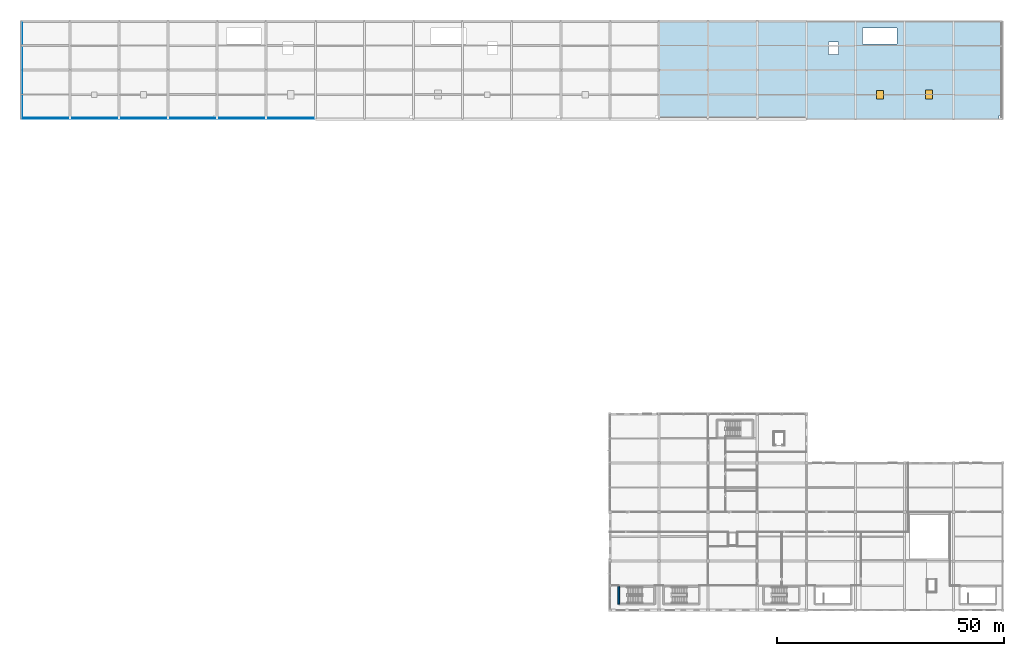
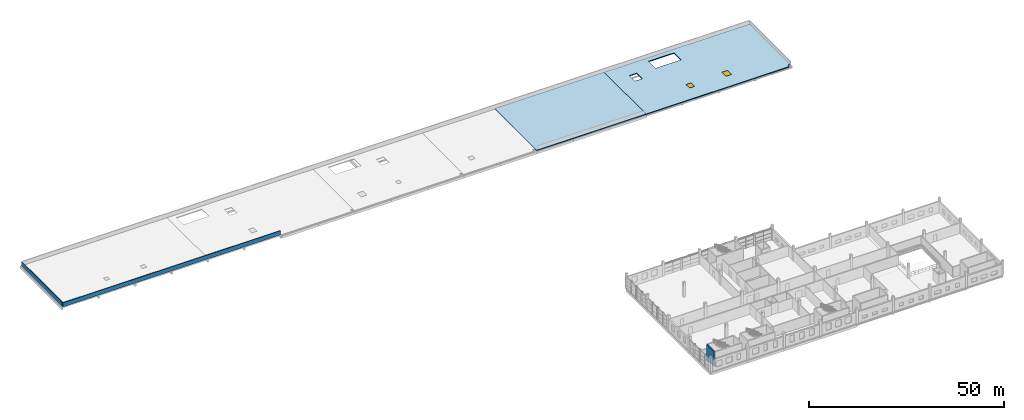
# One storey, part 13 of 24: 3 walls, 2 slabs, 2 windows, 2 openings.
"""IFC4 building model written with IfcOpenShell, lengths in metres."""

from ifc_helpers import new_model, si_unit, direction, frame, frame_2d, origin, origin_2d, place, context, subcontext, project, spatial, polyline, rectangle, outline, extrude, material, layer, layer_set, type_object, element, fill, save


model = new_model("IFC4")

# Units and contexts
model_context = context("Model", 3, precision=1e-05, world=origin(), true_north=direction((0.0, 1.0)))
body_context = subcontext(model_context, "Body", "Model", "MODEL_VIEW")
ifc_project = project(units=[si_unit("LENGTHUNIT", "METRE"), si_unit("AREAUNIT", "SQUARE_METRE"), si_unit("VOLUMEUNIT", "CUBIC_METRE"), si_unit("PLANEANGLEUNIT", "RADIAN"), si_unit("MASSUNIT", "GRAM", prefix="KILO")], contexts=[model_context])

# Site, building, storey
site_placement = place(None, origin())
site = spatial("IfcSite", under=ifc_project, at=site_placement, CompositionType="ELEMENT")
building_placement = place(site_placement, origin())
building = spatial("IfcBuilding", under=site, at=building_placement, Name="Zwinboog Wholesale Market", CompositionType="ELEMENT")
storey_placement = place(building_placement, frame((0.0, 0.0, 10.080078125)))
storey = spatial("IfcBuildingStorey", under=building, at=storey_placement, Name="L02", CompositionType="ELEMENT", Elevation=10.080078125)

# Slab
ifc_material_1 = material(Name="Concrete C40/50", Category="concrete")
ifc_layer_1 = layer(ifc_material_1, 0.261962890625)
ifc_layer_set_1 = layer_set([ifc_layer_1], Name="Concrete C40/50")
slab_type_1 = type_object("IfcSlabType", Name="SLT-EX-262", PredefinedType="FLOOR", material=ifc_layer_set_1)
slab_1_placement = place(storey_placement, frame((0.0, 0.0, -0.261962890625)))
element("IfcSlab", 1, at=slab_1_placement, inside=storey, type_object=slab_type_1, Name="Cold-Chain Stormwater Roof Garden", PredefinedType="FLOOR", context=body_context, shape_type="SweptSolid", body=[
    extrude(outline(polyline([(140.39990234375, 108.0), (172.800048828125, 108.0), (172.800048828125, 129.60009765625), (140.39990234375, 129.60009765625), (140.39990234375, 108.0)])), origin(), (0.0, 0.0, 1.0), 0.261962890625),
])

# Slab, openings, windows
ifc_material_2 = material(Name="Precast concrete C45/55", Category="concrete")
ifc_layer_2 = layer(ifc_material_2, 0.27392578125)
ifc_layer_set_2 = layer_set([ifc_layer_2], Name="Precast concrete C45/55")
slab_type_2 = type_object("IfcSlabType", Name="SLT-GR-274", PredefinedType="ROOF", material=ifc_layer_set_2)
slab_2_placement = place(storey_placement, frame((0.0, 0.0, -0.274169921875)))
slab_2 = element("IfcSlab", 2, at=slab_2_placement, inside=storey, type_object=slab_type_2, Name="SG-274 (SLB-L02-GRF-05)", PredefinedType="ROOF", context=body_context, shape_type="SweptSolid", body=[
    extrude(outline(polyline([(172.800048828125, 108.0), (215.199951171875, 108.0), (215.199951171875, 108.800048828125), (216.0, 108.800048828125), (216.0, 129.60009765625), (172.800048828125, 129.60009765625), (172.800048828125, 108.0)]), holes=[polyline([(185.10009765625, 124.5), (192.699951171875, 124.5), (192.699951171875, 128.10009765625), (185.10009765625, 128.10009765625), (185.10009765625, 124.5)]), polyline([(177.699951171875, 122.199951171875), (179.89990234375, 122.199951171875), (179.89990234375, 125.0), (177.699951171875, 125.0), (177.699951171875, 122.199951171875)])]), origin(), (0.0, 0.0, 1.0), 0.274169921875),
])
opening_1_placement = place(slab_2_placement, frame((189.0, 113.39990234375, 0.0)))
opening_1 = element("IfcOpeningElement", 3, at=opening_1_placement, cuts=slab_2, Name="Opening RH-07", PredefinedType="OPENING", context=body_context, shape_type="SweptSolid", body=[
    extrude(rectangle(XDim=1.5, YDim=1.800048828125, at=origin_2d()), frame((0.0, 0.0, -0.010009765625)), (0.0, 0.0, 1.0), 0.294189453125),
])
opening_2_placement = place(slab_2_placement, frame((199.800048828125, 113.39990234375, 0.0)))
opening_2 = element("IfcOpeningElement", 4, at=opening_2_placement, cuts=slab_2, Name="Opening RH-08", PredefinedType="OPENING", context=body_context, shape_type="SweptSolid", body=[
    extrude(rectangle(XDim=1.60009765625, YDim=2.0, at=origin_2d()), frame((0.0, 0.0, -0.010009765625)), (0.0, 0.0, 1.0), 0.294189453125),
])
ifc_material_3 = material(Name="Aerodynamic insulated aluminium smoke-vent hatch", Category="aluminium")
window_type_1 = type_object("IfcWindowType", Name="SKT-03", PartitioningType="SINGLE_PANEL", PredefinedType="SKYLIGHT", material=ifc_material_3)
window_1_placement = place(opening_1_placement, frame((0.0, 0.0, 0.22412109375)))
window_1 = element("IfcWindow", 5, at=window_1_placement, inside=storey, type_object=window_type_1, Name="Roof Smoke-Vent Hatch RH-07", OverallHeight=1.800048828125, OverallWidth=1.5, PartitioningType="SINGLE_PANEL", PredefinedType="SKYLIGHT", context=body_context, shape_type="SweptSolid", body=[
    extrude(rectangle(XDim=1.5, YDim=1.800048828125, at=origin_2d()), origin(), (0.0, 0.0, 1.0), 0.050048828125),
])
fill(opening_1, window_1)
window_type_2 = type_object("IfcWindowType", Name="SKT-04", PartitioningType="SINGLE_PANEL", PredefinedType="SKYLIGHT", material=ifc_material_3)
window_2_placement = place(opening_2_placement, frame((0.0, 0.0, 0.22412109375)))
window_2 = element("IfcWindow", 6, at=window_2_placement, inside=storey, type_object=window_type_2, Name="Roof Smoke-Vent Hatch RH-08", OverallHeight=2.0, OverallWidth=1.60009765625, PartitioningType="SINGLE_PANEL", PredefinedType="SKYLIGHT", context=body_context, shape_type="SweptSolid", body=[
    extrude(rectangle(XDim=1.60009765625, YDim=2.0, at=origin_2d()), origin(), (0.0, 0.0, 1.0), 0.050048828125),
])
fill(opening_2, window_2)

# Walls
ifc_layer_3 = layer(ifc_material_2, 0.18798828125)
ifc_layer_set_3 = layer_set([ifc_layer_3], Name="Precast concrete C45/55")
wall_type_1 = type_object("IfcWallType", Name="WT-PR-188", PredefinedType="PARAPET", material=ifc_layer_set_3)
wall_1_placement = place(storey_placement, frame((0.199951171875, 108.39990234375, 0.0), z_axis=(0.0, 0.0, 1.0), x_axis=(0.0, 1.0, 0.0)))
element("IfcWall", 7, at=wall_1_placement, inside=storey, type_object=wall_type_1, Name="PR-01 (WL-PAR-04)", PredefinedType="PARAPET", context=body_context, shape_type="SweptSolid", body=[
    extrude(rectangle(XDim=20.800048828125, YDim=0.18798828125, at=frame_2d((10.39990234375, 0.0))), origin(), (0.0, 0.0, 1.0), 1.25),
])
ifc_layer_4 = layer(ifc_material_2, 0.216064453125)
ifc_layer_set_4 = layer_set([ifc_layer_4], Name="Precast concrete C45/55")
wall_type_2 = type_object("IfcWallType", Name="WT-PR-216", PredefinedType="PARAPET", material=ifc_layer_set_4)
wall_2_placement = place(storey_placement, frame((0.199951171875, 108.199951171875, 0.0), z_axis=(0.0, 0.0, 1.0), x_axis=(1.0, 0.0, 0.0)))
element("IfcWall", 8, at=wall_2_placement, inside=storey, type_object=wall_type_2, Name="PR-02 (WL-PAR-02)", PredefinedType="PARAPET", context=body_context, shape_type="SweptSolid", body=[
    extrude(rectangle(XDim=64.400146484375, YDim=0.216064453125, at=frame_2d((32.2001953125, 0.0))), origin(), (0.0, 0.0, 1.0), 1.25),
])
ifc_layer_5 = layer(ifc_material_1, 0.35009765625)
ifc_layer_set_5 = layer_set([ifc_layer_5], Name="Concrete C40/50")
wall_type_3 = type_object("IfcWallType", Name="WT-SW-350", PredefinedType="SHEAR", material=ifc_layer_set_5)
wall_3_placement = place(storey_placement, frame((131.550048828125, 1.35009765625, 0.0), z_axis=(0.0, 0.0, 1.0), x_axis=(0.0, 1.0, 0.0)))
element("IfcWall", 9, at=wall_3_placement, inside=storey, type_object=wall_type_3, Name="SW-04 (WL-SW-L02-091)", PredefinedType="SHEAR", context=body_context, shape_type="SweptSolid", body=[
    extrude(rectangle(XDim=3.89990234375, YDim=0.35009765625, at=frame_2d((1.949951171875, 0.0))), origin(), (0.0, 0.0, 1.0), 4.679931640625),
])

save(model, "model.ifc")
